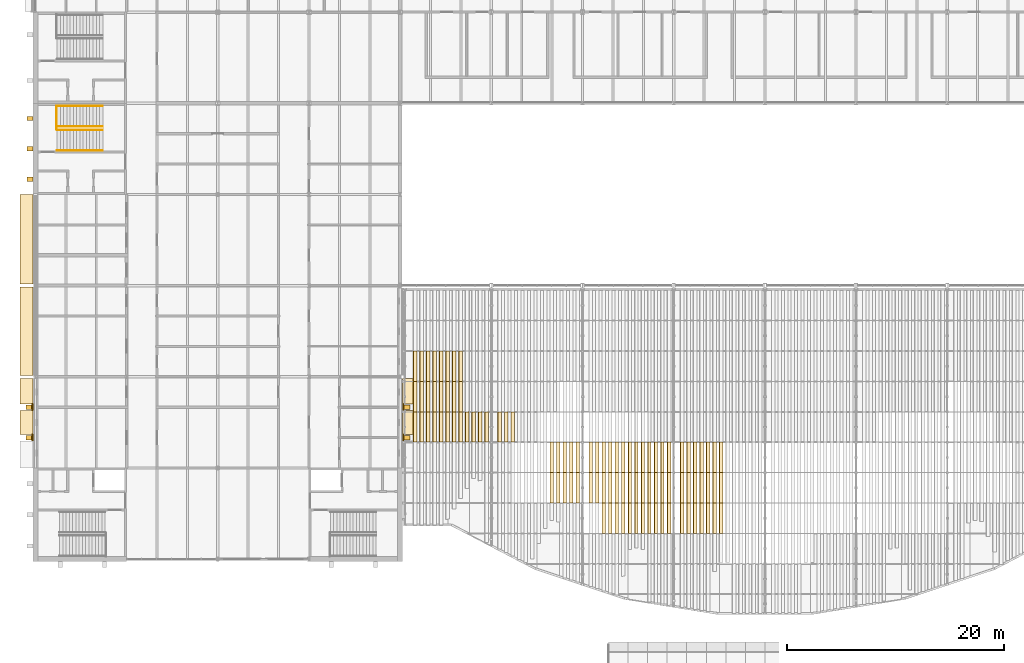
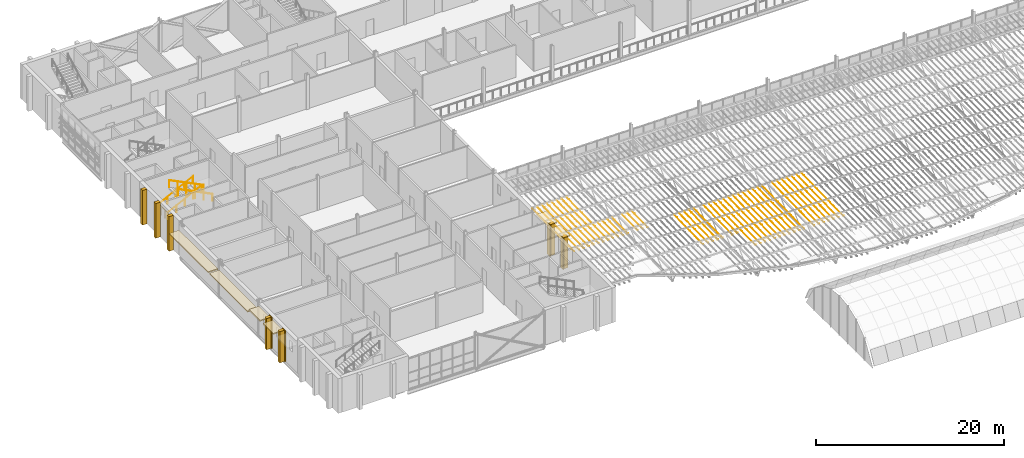
# One storey, part 117 of 129: 116 coverings, 5 railings.
"""IFC4 building model written with IfcOpenShell, lengths in metres."""

from ifc_helpers import new_model, si_unit, direction, frame, origin, origin_2d, place, context, subcontext, project, spatial, polyline, rectangle, circle, outline, extrude, material, layer, layer_set, material_profile, profile_set, type_object, element, save


model = new_model("IFC4")

# Units and contexts
model_context = context("Model", 3, precision=1e-05, world=origin(), true_north=direction((0.0, 1.0)))
body_context = subcontext(model_context, "Body", "Model", "MODEL_VIEW")
ifc_project = project(units=[si_unit("LENGTHUNIT", "METRE"), si_unit("AREAUNIT", "SQUARE_METRE"), si_unit("VOLUMEUNIT", "CUBIC_METRE"), si_unit("PLANEANGLEUNIT", "RADIAN"), si_unit("MASSUNIT", "GRAM", prefix="KILO")], contexts=[model_context])

# Site, building, storey
site_placement = place(None, origin())
site = spatial("IfcSite", under=ifc_project, at=site_placement, CompositionType="ELEMENT")
building_placement = place(site_placement, origin())
building = spatial("IfcBuilding", under=site, at=building_placement, Name="Ardhachandra Cancer Care Centre", CompositionType="ELEMENT")
storey_placement = place(building_placement, frame((0.0, 0.0, 4.5)))
storey = spatial("IfcBuildingStorey", under=building, at=storey_placement, Name="L01", CompositionType="ELEMENT", Elevation=4.5)

# Coverings
ifc_material_1 = material(Name="Brick masonry (clay brick, cement mortar) pier cladding", Category="masonry")
ifc_layer_1 = layer(ifc_material_1, 0.1201171875)
ifc_layer_set_1 = layer_set([ifc_layer_1], Name="Brick masonry (clay brick, cement mortar) pier cladding")
covering_type_1 = type_object("IfcCoveringType", Name="Brick pier cladding 600 x 120", PredefinedType="CLADDING", material=ifc_layer_set_1)
for number, where, z_axis, x_axis, name in (
    (1, (44.68505859375, 40.60009765625, 0.0), (0.0, 0.0, 1.0), (0.0, 1.0, 0.0), "Pier cladding L01 L01/e/0044400_0037800"),
    (2, (44.68505859375, 43.39990234375, 0.0), (0.0, 0.0, 1.0), (0.0, 1.0, 0.0), "Pier cladding L01 L01/e/0044400_0037800"),
    (3, (10.514892578125, 40.60009765625, 0.0), (0.0, 0.0, 1.0), (0.0, 1.0, 0.0), "Pier cladding L01 L01/w/0010800_0037800"),
    (4, (10.514892578125, 43.39990234375, 0.0), (0.0, 0.0, 1.0), (0.0, 1.0, 0.0), "Pier cladding L01 L01/w/0010800_0037800"),
):
    element("IfcCovering", number, at=place(storey_placement, frame(where, z_axis=z_axis, x_axis=x_axis)), inside=storey, type_object=covering_type_1, Name=name, PredefinedType="CLADDING", context=body_context, shape_type="SweptSolid", body=[
        extrude(rectangle(XDim=0.60009765625, YDim=0.1201171875, at=origin_2d()), origin(), (0.0, 0.0, 1.0), 4.050048828125),
    ])

# Railing
ifc_material_2 = material(Name="Steel E250 (IS 2062)", Category="steel")
railing_type_1 = type_object("IfcRailingType", Name="Guard 1100", PredefinedType="GUARDRAIL", material=ifc_material_2)
railing_placement = place(storey_placement, frame((12.739990234375, 71.169921875, 0.0)))
element("IfcRailing", 5, at=railing_placement, inside=storey, type_object=railing_type_1, Name="Stair well guard K3 L01", PredefinedType="GUARDRAIL", context=body_context, shape_type="SweptSolid", body=[
    extrude(circle(Radius=0.02392578125, at=origin_2d()), frame((0.0, 0.0, 1.076171875), z_axis=(0.0, -1.0, 0.0), x_axis=(1.0, 0.0, 0.0)), (0.0, 0.0, 1.0), 2.169921875),
    extrude(circle(Radius=0.02099609375, at=origin_2d()), origin(), (0.0, 0.0, 1.0), 1.052001953125),
    extrude(circle(Radius=0.02099609375, at=origin_2d()), frame((0.0, -0.723388671875, 0.0)), (0.0, 0.0, 1.0), 1.052001953125),
    extrude(circle(Radius=0.02099609375, at=origin_2d()), frame((0.0, -1.446533203125, 0.0)), (0.0, 0.0, 1.0), 1.052001953125),
    extrude(circle(Radius=0.02099609375, at=origin_2d()), frame((0.0, -2.169921875, 0.0)), (0.0, 0.0, 1.0), 1.052001953125),
])

# Coverings
ifc_material_3 = material(Name="Anodised aluminium", Category="aluminium")
ifc_material_profile = material_profile(ifc_material_3, outline(polyline([(-0.01220703125, 0.0), (0.01220703125, 0.0), (0.327392578125, -0.449951171875), (0.302978515625, -0.449951171875), (-0.01220703125, 0.0)])), Name="Louvre fin 450")
ifc_profile_set = profile_set([ifc_material_profile], Name="Anodised aluminium")
covering_type_2 = type_object("IfcCoveringType", Name="Louvre fin 450", PredefinedType="CLADDING", material=ifc_profile_set)
covering_1_placement = place(storey_placement, frame((45.60009765625, 48.574951171875, 2.631591796875), z_axis=(0.0, -0.999798977995, -0.02005002746), x_axis=(1.0, 0.0, 0.0)))
element("IfcCovering", 6, at=covering_1_placement, inside=storey, type_object=covering_type_2, Name="Louvre fin 2-3", PredefinedType="CLADDING", context=body_context, shape_type="SweptSolid", body=[
    extrude(outline(polyline([(-0.01220703125, 0.0), (0.01220703125, 0.0), (0.327392578125, -0.449951171875), (0.302978515625, -0.449951171875), (-0.01220703125, 0.0)])), origin(), (0.0, 0.0, 1.0), 2.800537109375),
])
covering_2_placement = place(storey_placement, frame((45.60009765625, 45.77490234375, 2.575439453125), z_axis=(0.0, -0.999800686946, -0.019964628297), x_axis=(1.0, 0.0, 0.0)))
element("IfcCovering", 7, at=covering_2_placement, inside=storey, type_object=covering_type_2, Name="Louvre fin 2-4", PredefinedType="CLADDING", context=body_context, shape_type="SweptSolid", body=[
    extrude(outline(polyline([(-0.01220703125, 0.0), (0.01220703125, 0.0), (0.327392578125, -0.449951171875), (0.302978515625, -0.449951171875), (-0.01220703125, 0.0)])), origin(), (0.0, 0.0, 1.0), 2.80029296875),
])
for number, where, z_axis, x_axis, name in (
    (8, (45.60009765625, 42.97509765625, 2.51953125), (0.0, -0.999798977995, -0.02005002746), (1.0, 0.0, 0.0), "Louvre fin 2-5"),
    (9, (46.199951171875, 48.574951171875, 2.631591796875), (0.0, -0.999798977995, -0.02005002746), (1.0, 0.0, 0.0), "Louvre fin 3-3"),
):
    element("IfcCovering", number, at=place(storey_placement, frame(where, z_axis=z_axis, x_axis=x_axis)), inside=storey, type_object=covering_type_2, Name=name, PredefinedType="CLADDING", context=body_context, shape_type="SweptSolid", body=[
        extrude(outline(polyline([(-0.01220703125, 0.0), (0.01220703125, 0.0), (0.327392578125, -0.449951171875), (0.302978515625, -0.449951171875), (-0.01220703125, 0.0)])), origin(), (0.0, 0.0, 1.0), 2.800537109375),
    ])
covering_3_placement = place(storey_placement, frame((46.199951171875, 45.77490234375, 2.575439453125), z_axis=(0.0, -0.999800686946, -0.019964628297), x_axis=(1.0, 0.0, 0.0)))
element("IfcCovering", 10, at=covering_3_placement, inside=storey, type_object=covering_type_2, Name="Louvre fin 3-4", PredefinedType="CLADDING", context=body_context, shape_type="SweptSolid", body=[
    extrude(outline(polyline([(-0.01220703125, 0.0), (0.01220703125, 0.0), (0.327392578125, -0.449951171875), (0.302978515625, -0.449951171875), (-0.01220703125, 0.0)])), origin(), (0.0, 0.0, 1.0), 2.80029296875),
])
for number, where, z_axis, x_axis, name in (
    (11, (46.199951171875, 42.97509765625, 2.51953125), (0.0, -0.999798977995, -0.02005002746), (1.0, 0.0, 0.0), "Louvre fin 3-5"),
    (12, (46.800048828125, 48.574951171875, 2.631591796875), (0.0, -0.999798977995, -0.02005002746), (1.0, 0.0, 0.0), "Louvre fin 4-3"),
):
    element("IfcCovering", number, at=place(storey_placement, frame(where, z_axis=z_axis, x_axis=x_axis)), inside=storey, type_object=covering_type_2, Name=name, PredefinedType="CLADDING", context=body_context, shape_type="SweptSolid", body=[
        extrude(outline(polyline([(-0.01220703125, 0.0), (0.01220703125, 0.0), (0.327392578125, -0.449951171875), (0.302978515625, -0.449951171875), (-0.01220703125, 0.0)])), origin(), (0.0, 0.0, 1.0), 2.800537109375),
    ])
covering_4_placement = place(storey_placement, frame((46.800048828125, 45.77490234375, 2.575439453125), z_axis=(0.0, -0.999800686946, -0.019964628297), x_axis=(1.0, 0.0, 0.0)))
element("IfcCovering", 13, at=covering_4_placement, inside=storey, type_object=covering_type_2, Name="Louvre fin 4-4", PredefinedType="CLADDING", context=body_context, shape_type="SweptSolid", body=[
    extrude(outline(polyline([(-0.01220703125, 0.0), (0.01220703125, 0.0), (0.327392578125, -0.449951171875), (0.302978515625, -0.449951171875), (-0.01220703125, 0.0)])), origin(), (0.0, 0.0, 1.0), 2.80029296875),
])
for number, where, z_axis, x_axis, name in (
    (14, (46.800048828125, 42.97509765625, 2.51953125), (0.0, -0.999798977995, -0.02005002746), (1.0, 0.0, 0.0), "Louvre fin 4-5"),
    (15, (47.39990234375, 48.574951171875, 2.631591796875), (0.0, -0.999798977995, -0.02005002746), (1.0, 0.0, 0.0), "Louvre fin 5-3"),
):
    element("IfcCovering", number, at=place(storey_placement, frame(where, z_axis=z_axis, x_axis=x_axis)), inside=storey, type_object=covering_type_2, Name=name, PredefinedType="CLADDING", context=body_context, shape_type="SweptSolid", body=[
        extrude(outline(polyline([(-0.01220703125, 0.0), (0.01220703125, 0.0), (0.327392578125, -0.449951171875), (0.302978515625, -0.449951171875), (-0.01220703125, 0.0)])), origin(), (0.0, 0.0, 1.0), 2.800537109375),
    ])
covering_5_placement = place(storey_placement, frame((47.39990234375, 45.77490234375, 2.575439453125), z_axis=(0.0, -0.999800686946, -0.019964628297), x_axis=(1.0, 0.0, 0.0)))
element("IfcCovering", 16, at=covering_5_placement, inside=storey, type_object=covering_type_2, Name="Louvre fin 5-4", PredefinedType="CLADDING", context=body_context, shape_type="SweptSolid", body=[
    extrude(outline(polyline([(-0.01220703125, 0.0), (0.01220703125, 0.0), (0.327392578125, -0.449951171875), (0.302978515625, -0.449951171875), (-0.01220703125, 0.0)])), origin(), (0.0, 0.0, 1.0), 2.80029296875),
])
for number, where, z_axis, x_axis, name in (
    (17, (47.39990234375, 42.97509765625, 2.51953125), (0.0, -0.999798977995, -0.02005002746), (1.0, 0.0, 0.0), "Louvre fin 5-5"),
    (18, (48.0, 48.574951171875, 2.631591796875), (0.0, -0.999798977995, -0.02005002746), (1.0, 0.0, 0.0), "Louvre fin 6-3"),
):
    element("IfcCovering", number, at=place(storey_placement, frame(where, z_axis=z_axis, x_axis=x_axis)), inside=storey, type_object=covering_type_2, Name=name, PredefinedType="CLADDING", context=body_context, shape_type="SweptSolid", body=[
        extrude(outline(polyline([(-0.01220703125, 0.0), (0.01220703125, 0.0), (0.327392578125, -0.449951171875), (0.302978515625, -0.449951171875), (-0.01220703125, 0.0)])), origin(), (0.0, 0.0, 1.0), 2.800537109375),
    ])
covering_6_placement = place(storey_placement, frame((48.0, 45.77490234375, 2.575439453125), z_axis=(0.0, -0.999800686946, -0.019964628297), x_axis=(1.0, 0.0, 0.0)))
element("IfcCovering", 19, at=covering_6_placement, inside=storey, type_object=covering_type_2, Name="Louvre fin 6-4", PredefinedType="CLADDING", context=body_context, shape_type="SweptSolid", body=[
    extrude(outline(polyline([(-0.01220703125, 0.0), (0.01220703125, 0.0), (0.327392578125, -0.449951171875), (0.302978515625, -0.449951171875), (-0.01220703125, 0.0)])), origin(), (0.0, 0.0, 1.0), 2.80029296875),
])
for number, where, z_axis, x_axis, name in (
    (20, (48.0, 42.97509765625, 2.51953125), (0.0, -0.999798977995, -0.02005002746), (1.0, 0.0, 0.0), "Louvre fin 6-5"),
    (21, (48.60009765625, 48.574951171875, 2.631591796875), (0.0, -0.999798977995, -0.02005002746), (1.0, 0.0, 0.0), "Louvre fin 7-3"),
):
    element("IfcCovering", number, at=place(storey_placement, frame(where, z_axis=z_axis, x_axis=x_axis)), inside=storey, type_object=covering_type_2, Name=name, PredefinedType="CLADDING", context=body_context, shape_type="SweptSolid", body=[
        extrude(outline(polyline([(-0.01220703125, 0.0), (0.01220703125, 0.0), (0.327392578125, -0.449951171875), (0.302978515625, -0.449951171875), (-0.01220703125, 0.0)])), origin(), (0.0, 0.0, 1.0), 2.800537109375),
    ])
covering_7_placement = place(storey_placement, frame((48.60009765625, 45.77490234375, 2.575439453125), z_axis=(0.0, -0.999800686946, -0.019964628297), x_axis=(1.0, 0.0, 0.0)))
element("IfcCovering", 22, at=covering_7_placement, inside=storey, type_object=covering_type_2, Name="Louvre fin 7-4", PredefinedType="CLADDING", context=body_context, shape_type="SweptSolid", body=[
    extrude(outline(polyline([(-0.01220703125, 0.0), (0.01220703125, 0.0), (0.327392578125, -0.449951171875), (0.302978515625, -0.449951171875), (-0.01220703125, 0.0)])), origin(), (0.0, 0.0, 1.0), 2.80029296875),
])
for number, where, z_axis, x_axis, name in (
    (23, (48.60009765625, 42.97509765625, 2.51953125), (0.0, -0.999798977995, -0.02005002746), (1.0, 0.0, 0.0), "Louvre fin 7-5"),
    (24, (49.199951171875, 48.574951171875, 2.631591796875), (0.0, -0.999798977995, -0.02005002746), (1.0, 0.0, 0.0), "Louvre fin 8-3"),
):
    element("IfcCovering", number, at=place(storey_placement, frame(where, z_axis=z_axis, x_axis=x_axis)), inside=storey, type_object=covering_type_2, Name=name, PredefinedType="CLADDING", context=body_context, shape_type="SweptSolid", body=[
        extrude(outline(polyline([(-0.01220703125, 0.0), (0.01220703125, 0.0), (0.327392578125, -0.449951171875), (0.302978515625, -0.449951171875), (-0.01220703125, 0.0)])), origin(), (0.0, 0.0, 1.0), 2.800537109375),
    ])
covering_8_placement = place(storey_placement, frame((49.199951171875, 45.77490234375, 2.575439453125), z_axis=(0.0, -0.999800686946, -0.019964628297), x_axis=(1.0, 0.0, 0.0)))
element("IfcCovering", 25, at=covering_8_placement, inside=storey, type_object=covering_type_2, Name="Louvre fin 8-4", PredefinedType="CLADDING", context=body_context, shape_type="SweptSolid", body=[
    extrude(outline(polyline([(-0.01220703125, 0.0), (0.01220703125, 0.0), (0.327392578125, -0.449951171875), (0.302978515625, -0.449951171875), (-0.01220703125, 0.0)])), origin(), (0.0, 0.0, 1.0), 2.80029296875),
])
for number, where, z_axis, x_axis, name in (
    (26, (49.199951171875, 42.97509765625, 2.51953125), (0.0, -0.999798977995, -0.02005002746), (1.0, 0.0, 0.0), "Louvre fin 8-5"),
    (27, (49.800048828125, 48.574951171875, 2.631591796875), (0.0, -0.999798977995, -0.02005002746), (1.0, 0.0, 0.0), "Louvre fin 9-3"),
):
    element("IfcCovering", number, at=place(storey_placement, frame(where, z_axis=z_axis, x_axis=x_axis)), inside=storey, type_object=covering_type_2, Name=name, PredefinedType="CLADDING", context=body_context, shape_type="SweptSolid", body=[
        extrude(outline(polyline([(-0.01220703125, 0.0), (0.01220703125, 0.0), (0.327392578125, -0.449951171875), (0.302978515625, -0.449951171875), (-0.01220703125, 0.0)])), origin(), (0.0, 0.0, 1.0), 2.800537109375),
    ])
covering_9_placement = place(storey_placement, frame((49.800048828125, 45.77490234375, 2.575439453125), z_axis=(0.0, -0.999800686946, -0.019964628297), x_axis=(1.0, 0.0, 0.0)))
element("IfcCovering", 28, at=covering_9_placement, inside=storey, type_object=covering_type_2, Name="Louvre fin 9-4", PredefinedType="CLADDING", context=body_context, shape_type="SweptSolid", body=[
    extrude(outline(polyline([(-0.01220703125, 0.0), (0.01220703125, 0.0), (0.327392578125, -0.449951171875), (0.302978515625, -0.449951171875), (-0.01220703125, 0.0)])), origin(), (0.0, 0.0, 1.0), 2.80029296875),
])
for number, where, z_axis, x_axis, name in (
    (29, (49.800048828125, 42.97509765625, 2.51953125), (0.0, -0.999798977995, -0.02005002746), (1.0, 0.0, 0.0), "Louvre fin 9-5"),
    (30, (50.39990234375, 42.97509765625, 2.51953125), (0.0, -0.999798977995, -0.02005002746), (1.0, 0.0, 0.0), "Louvre fin 10-5"),
    (31, (51.0, 42.97509765625, 2.51953125), (0.0, -0.999798977995, -0.02005002746), (1.0, 0.0, 0.0), "Louvre fin 11-5"),
    (32, (51.60009765625, 42.97509765625, 2.51953125), (0.0, -0.999798977995, -0.02005002746), (1.0, 0.0, 0.0), "Louvre fin 12-5"),
    (33, (52.199951171875, 42.97509765625, 2.51953125), (0.0, -0.999798977995, -0.02005002746), (1.0, 0.0, 0.0), "Louvre fin 13-5"),
    (34, (53.39990234375, 42.97509765625, 2.51953125), (0.0, -0.999798977995, -0.02005002746), (1.0, 0.0, 0.0), "Louvre fin 15-5"),
    (35, (54.0, 42.97509765625, 2.51953125), (0.0, -0.999798977995, -0.02005002746), (1.0, 0.0, 0.0), "Louvre fin 16-5"),
    (36, (54.60009765625, 42.97509765625, 2.51953125), (0.0, -0.999798977995, -0.02005002746), (1.0, 0.0, 0.0), "Louvre fin 17-5"),
    (37, (58.199951171875, 40.175048828125, 2.46337890625), (0.0, -0.999800721691, -0.019962888244), (1.0, 0.0, 0.0), "Louvre fin 23-6"),
    (38, (58.199951171875, 37.375, 2.407470703125), (0.0, -0.999800721691, -0.019962888244), (1.0, 0.0, 0.0), "Louvre fin 23-7"),
    (39, (58.800048828125, 40.175048828125, 2.46337890625), (0.0, -0.999800721691, -0.019962888244), (1.0, 0.0, 0.0), "Louvre fin 24-6"),
    (40, (58.800048828125, 37.375, 2.407470703125), (0.0, -0.999800721691, -0.019962888244), (1.0, 0.0, 0.0), "Louvre fin 24-7"),
    (41, (59.39990234375, 40.175048828125, 2.46337890625), (0.0, -0.999800721691, -0.019962888244), (1.0, 0.0, 0.0), "Louvre fin 25-6"),
    (42, (59.39990234375, 37.375, 2.407470703125), (0.0, -0.999800721691, -0.019962888244), (1.0, 0.0, 0.0), "Louvre fin 25-7"),
    (43, (60.0, 40.175048828125, 2.46337890625), (0.0, -0.999800721691, -0.019962888244), (1.0, 0.0, 0.0), "Louvre fin 26-6"),
    (44, (60.0, 37.375, 2.407470703125), (0.0, -0.999800721691, -0.019962888244), (1.0, 0.0, 0.0), "Louvre fin 26-7"),
    (45, (60.60009765625, 40.175048828125, 2.46337890625), (0.0, -0.999800721691, -0.019962888244), (1.0, 0.0, 0.0), "Louvre fin 27-6"),
    (46, (60.60009765625, 37.375, 2.407470703125), (0.0, -0.999800721691, -0.019962888244), (1.0, 0.0, 0.0), "Louvre fin 27-7"),
    (47, (61.800048828125, 40.175048828125, 2.46337890625), (0.0, -0.999800721691, -0.019962888244), (1.0, 0.0, 0.0), "Louvre fin 29-6"),
    (48, (61.800048828125, 37.375, 2.407470703125), (0.0, -0.999800721691, -0.019962888244), (1.0, 0.0, 0.0), "Louvre fin 29-7"),
    (49, (62.39990234375, 40.175048828125, 2.46337890625), (0.0, -0.999800721691, -0.019962888244), (1.0, 0.0, 0.0), "Louvre fin 30-6"),
    (50, (62.39990234375, 37.375, 2.407470703125), (0.0, -0.999800721691, -0.019962888244), (1.0, 0.0, 0.0), "Louvre fin 30-7"),
    (51, (63.0, 40.175048828125, 2.46337890625), (0.0, -0.999800721691, -0.019962888244), (1.0, 0.0, 0.0), "Louvre fin 31-6"),
    (52, (63.0, 37.375, 2.407470703125), (0.0, -0.999800721691, -0.019962888244), (1.0, 0.0, 0.0), "Louvre fin 31-7"),
    (53, (63.0, 34.574951171875, 2.3515625), (0.0, -0.999798977995, -0.02005002746), (1.0, 0.0, 0.0), "Louvre fin 31-8"),
    (54, (63.60009765625, 40.175048828125, 2.46337890625), (0.0, -0.999800721691, -0.019962888244), (1.0, 0.0, 0.0), "Louvre fin 32-6"),
    (55, (63.60009765625, 37.375, 2.407470703125), (0.0, -0.999800721691, -0.019962888244), (1.0, 0.0, 0.0), "Louvre fin 32-7"),
    (56, (63.60009765625, 34.574951171875, 2.3515625), (0.0, -0.999798977995, -0.02005002746), (1.0, 0.0, 0.0), "Louvre fin 32-8"),
    (57, (64.199951171875, 40.175048828125, 2.46337890625), (0.0, -0.999800721691, -0.019962888244), (1.0, 0.0, 0.0), "Louvre fin 33-6"),
    (58, (64.199951171875, 37.375, 2.407470703125), (0.0, -0.999800721691, -0.019962888244), (1.0, 0.0, 0.0), "Louvre fin 33-7"),
    (59, (64.199951171875, 34.574951171875, 2.3515625), (0.0, -0.999798977995, -0.02005002746), (1.0, 0.0, 0.0), "Louvre fin 33-8"),
    (60, (64.800048828125, 40.175048828125, 2.46337890625), (0.0, -0.999800721691, -0.019962888244), (1.0, 0.0, 0.0), "Louvre fin 34-6"),
    (61, (64.800048828125, 37.375, 2.407470703125), (0.0, -0.999800721691, -0.019962888244), (1.0, 0.0, 0.0), "Louvre fin 34-7"),
    (62, (64.800048828125, 34.574951171875, 2.3515625), (0.0, -0.999798977995, -0.02005002746), (1.0, 0.0, 0.0), "Louvre fin 34-8"),
    (63, (65.39990234375, 40.175048828125, 2.46337890625), (0.0, -0.999800721691, -0.019962888244), (1.0, 0.0, 0.0), "Louvre fin 35-6"),
    (64, (65.39990234375, 37.375, 2.407470703125), (0.0, -0.999800721691, -0.019962888244), (1.0, 0.0, 0.0), "Louvre fin 35-7"),
    (65, (65.39990234375, 34.574951171875, 2.3515625), (0.0, -0.999798977995, -0.02005002746), (1.0, 0.0, 0.0), "Louvre fin 35-8"),
    (66, (66.0, 40.175048828125, 2.46337890625), (0.0, -0.999800721691, -0.019962888244), (1.0, 0.0, 0.0), "Louvre fin 36-6"),
    (67, (66.0, 37.375, 2.407470703125), (0.0, -0.999800721691, -0.019962888244), (1.0, 0.0, 0.0), "Louvre fin 36-7"),
    (68, (66.0, 34.574951171875, 2.3515625), (0.0, -0.999798977995, -0.02005002746), (1.0, 0.0, 0.0), "Louvre fin 36-8"),
    (69, (66.60009765625, 40.175048828125, 2.46337890625), (0.0, -0.999800721691, -0.019962888244), (1.0, 0.0, 0.0), "Louvre fin 37-6"),
    (70, (66.60009765625, 37.375, 2.407470703125), (0.0, -0.999800721691, -0.019962888244), (1.0, 0.0, 0.0), "Louvre fin 37-7"),
    (71, (66.60009765625, 34.574951171875, 2.3515625), (0.0, -0.999798977995, -0.02005002746), (1.0, 0.0, 0.0), "Louvre fin 37-8"),
    (72, (67.199951171875, 40.175048828125, 2.46337890625), (0.0, -0.999800721691, -0.019962888244), (1.0, 0.0, 0.0), "Louvre fin 38-6"),
    (73, (67.199951171875, 37.375, 2.407470703125), (0.0, -0.999800721691, -0.019962888244), (1.0, 0.0, 0.0), "Louvre fin 38-7"),
    (74, (67.199951171875, 34.574951171875, 2.3515625), (0.0, -0.999798977995, -0.02005002746), (1.0, 0.0, 0.0), "Louvre fin 38-8"),
    (75, (67.800048828125, 40.175048828125, 2.46337890625), (0.0, -0.999800721691, -0.019962888244), (1.0, 0.0, 0.0), "Louvre fin 39-6"),
    (76, (67.800048828125, 37.375, 2.407470703125), (0.0, -0.999800721691, -0.019962888244), (1.0, 0.0, 0.0), "Louvre fin 39-7"),
    (77, (67.800048828125, 34.574951171875, 2.3515625), (0.0, -0.999798977995, -0.02005002746), (1.0, 0.0, 0.0), "Louvre fin 39-8"),
    (78, (68.39990234375, 40.175048828125, 2.46337890625), (0.0, -0.999800721691, -0.019962888244), (1.0, 0.0, 0.0), "Louvre fin 40-6"),
    (79, (68.39990234375, 37.375, 2.407470703125), (0.0, -0.999800721691, -0.019962888244), (1.0, 0.0, 0.0), "Louvre fin 40-7"),
    (80, (68.39990234375, 34.574951171875, 2.3515625), (0.0, -0.999798977995, -0.02005002746), (1.0, 0.0, 0.0), "Louvre fin 40-8"),
    (81, (69.0, 40.175048828125, 2.46337890625), (0.0, -0.999800721691, -0.019962888244), (1.0, 0.0, 0.0), "Louvre fin 41-6"),
    (82, (69.0, 37.375, 2.407470703125), (0.0, -0.999800721691, -0.019962888244), (1.0, 0.0, 0.0), "Louvre fin 41-7"),
    (83, (69.0, 34.574951171875, 2.3515625), (0.0, -0.999798977995, -0.02005002746), (1.0, 0.0, 0.0), "Louvre fin 41-8"),
    (84, (70.199951171875, 40.175048828125, 2.46337890625), (0.0, -0.999800721691, -0.019962888244), (1.0, 0.0, 0.0), "Louvre fin 43-6"),
    (85, (70.199951171875, 37.375, 2.407470703125), (0.0, -0.999800721691, -0.019962888244), (1.0, 0.0, 0.0), "Louvre fin 43-7"),
    (86, (70.199951171875, 34.574951171875, 2.3515625), (0.0, -0.999798977995, -0.02005002746), (1.0, 0.0, 0.0), "Louvre fin 43-8"),
    (87, (70.800048828125, 40.175048828125, 2.46337890625), (0.0, -0.999800721691, -0.019962888244), (1.0, 0.0, 0.0), "Louvre fin 44-6"),
    (88, (70.800048828125, 37.375, 2.407470703125), (0.0, -0.999800721691, -0.019962888244), (1.0, 0.0, 0.0), "Louvre fin 44-7"),
    (89, (70.800048828125, 34.574951171875, 2.3515625), (0.0, -0.999798977995, -0.02005002746), (1.0, 0.0, 0.0), "Louvre fin 44-8"),
    (90, (71.39990234375, 40.175048828125, 2.46337890625), (0.0, -0.999800721691, -0.019962888244), (1.0, 0.0, 0.0), "Louvre fin 45-6"),
    (91, (71.39990234375, 37.375, 2.407470703125), (0.0, -0.999800721691, -0.019962888244), (1.0, 0.0, 0.0), "Louvre fin 45-7"),
    (92, (71.39990234375, 34.574951171875, 2.3515625), (0.0, -0.999798977995, -0.02005002746), (1.0, 0.0, 0.0), "Louvre fin 45-8"),
    (93, (72.0, 40.175048828125, 2.46337890625), (0.0, -0.999800721691, -0.019962888244), (1.0, 0.0, 0.0), "Louvre fin 46-6"),
    (94, (72.0, 37.375, 2.407470703125), (0.0, -0.999800721691, -0.019962888244), (1.0, 0.0, 0.0), "Louvre fin 46-7"),
    (95, (72.0, 34.574951171875, 2.3515625), (0.0, -0.999798977995, -0.02005002746), (1.0, 0.0, 0.0), "Louvre fin 46-8"),
    (96, (72.60009765625, 40.175048828125, 2.46337890625), (0.0, -0.999800721691, -0.019962888244), (1.0, 0.0, 0.0), "Louvre fin 47-6"),
    (97, (72.60009765625, 37.375, 2.407470703125), (0.0, -0.999800721691, -0.019962888244), (1.0, 0.0, 0.0), "Louvre fin 47-7"),
    (98, (72.60009765625, 34.574951171875, 2.3515625), (0.0, -0.999798977995, -0.02005002746), (1.0, 0.0, 0.0), "Louvre fin 47-8"),
    (99, (73.199951171875, 40.175048828125, 2.46337890625), (0.0, -0.999800721691, -0.019962888244), (1.0, 0.0, 0.0), "Louvre fin 48-6"),
    (100, (73.199951171875, 37.375, 2.407470703125), (0.0, -0.999800721691, -0.019962888244), (1.0, 0.0, 0.0), "Louvre fin 48-7"),
    (101, (73.199951171875, 34.574951171875, 2.3515625), (0.0, -0.999798977995, -0.02005002746), (1.0, 0.0, 0.0), "Louvre fin 48-8"),
    (102, (73.800048828125, 40.175048828125, 2.46337890625), (0.0, -0.999800721691, -0.019962888244), (1.0, 0.0, 0.0), "Louvre fin 49-6"),
    (103, (73.800048828125, 37.375, 2.407470703125), (0.0, -0.999800721691, -0.019962888244), (1.0, 0.0, 0.0), "Louvre fin 49-7"),
    (104, (73.800048828125, 34.574951171875, 2.3515625), (0.0, -0.999798977995, -0.02005002746), (1.0, 0.0, 0.0), "Louvre fin 49-8"),
):
    element("IfcCovering", number, at=place(storey_placement, frame(where, z_axis=z_axis, x_axis=x_axis)), inside=storey, type_object=covering_type_2, Name=name, PredefinedType="CLADDING", context=body_context, shape_type="SweptSolid", body=[
        extrude(outline(polyline([(-0.01220703125, 0.0), (0.01220703125, 0.0), (0.327392578125, -0.449951171875), (0.302978515625, -0.449951171875), (-0.01220703125, 0.0)])), origin(), (0.0, 0.0, 1.0), 2.800537109375),
    ])
ifc_material_4 = material(Name="Precast Concrete M25", Category="concrete")
ifc_layer_2 = layer(ifc_material_4, 0.39990234375)
ifc_layer_set_2 = layer_set([ifc_layer_2], Name="Precast Concrete M25")
covering_type_3 = type_object("IfcCoveringType", Name="Precast concrete fin 400 x 550", PredefinedType="CLADDING", material=ifc_layer_set_2)
for number, where, z_axis, x_axis, name in (
    (105, (45.02001953125, 40.60009765625, 0.0), (0.0, 0.0, 1.0), (0.0, 1.0, 0.0), "Fin L01 L01/e/0044400_0037800"),
    (106, (45.02001953125, 43.39990234375, 0.0), (0.0, 0.0, 1.0), (0.0, 1.0, 0.0), "Fin L01 L01/e/0044400_0037800"),
    (107, (10.179931640625, 40.60009765625, 0.0), (0.0, 0.0, 1.0), (0.0, 1.0, 0.0), "Fin L01 L01/w/0010800_0037800"),
    (108, (10.179931640625, 43.39990234375, 0.0), (0.0, 0.0, 1.0), (0.0, 1.0, 0.0), "Fin L01 L01/w/0010800_0037800"),
):
    element("IfcCovering", number, at=place(storey_placement, frame(where, z_axis=z_axis, x_axis=x_axis)), inside=storey, type_object=covering_type_3, Name=name, PredefinedType="CLADDING", context=body_context, shape_type="SweptSolid", body=[
        extrude(rectangle(XDim=0.39990234375, YDim=0.550048828125, at=origin_2d()), origin(), (0.0, 0.0, 1.0), 4.050048828125),
    ])
for number, where, z_axis, x_axis, name in (
    (109, (10.300048828125, 64.39990234375, 0.0), (0.0, 0.0, 1.0), (0.0, 1.0, 0.0), "Fin L01 core K3 1"),
    (110, (10.300048828125, 67.199951171875, 0.0), (0.0, 0.0, 1.0), (0.0, 1.0, 0.0), "Fin L01 core K3 2"),
    (111, (10.300048828125, 70.0, 0.0), (0.0, 0.0, 1.0), (0.0, 1.0, 0.0), "Fin L01 core K3 3"),
):
    element("IfcCovering", number, at=place(storey_placement, frame(where, z_axis=z_axis, x_axis=x_axis)), inside=storey, type_object=covering_type_3, Name=name, PredefinedType="CLADDING", context=body_context, shape_type="SweptSolid", body=[
        extrude(rectangle(XDim=0.39990234375, YDim=0.550048828125, at=origin_2d()), origin(), (0.0, 0.0, 1.0), 4.5),
    ])
ifc_material_5 = material(Name="Precast Concrete M25", Category="concrete")
ifc_layer_3 = layer(ifc_material_5, 0.14990234375)
ifc_layer_set_3 = layer_set([ifc_layer_3], Name="Precast Concrete M25")
covering_type_4 = type_object("IfcCoveringType", Name="Precast sunshade band 1200 x 150", PredefinedType="CLADDING", material=ifc_layer_set_3)
covering_10_placement = place(storey_placement, frame((45.22509765625, 42.0, 3.550048828125), z_axis=(0.0, 0.0, 1.0), x_axis=(0.0, 1.0, 0.0)))
element("IfcCovering", 112, at=covering_10_placement, inside=storey, type_object=covering_type_4, Name="Sunshade band L01 L01/e/0044400_0037800 2", PredefinedType="CLADDING", context=body_context, shape_type="SweptSolid", body=[
    extrude(rectangle(XDim=2.199951171875, YDim=1.199951171875, at=origin_2d()), origin(), (0.0, 0.0, 1.0), 0.14990234375),
])
covering_11_placement = place(storey_placement, frame((45.22509765625, 44.87744140625, 3.550048828125), z_axis=(0.0, 0.0, 1.0), x_axis=(0.0, 1.0, 0.0)))
element("IfcCovering", 113, at=covering_11_placement, inside=storey, type_object=covering_type_4, Name="Sunshade band L01 L01/e/0044400_0037800 3", PredefinedType="CLADDING", context=body_context, shape_type="SweptSolid", body=[
    extrude(rectangle(XDim=2.35498046875, YDim=1.199951171875, at=origin_2d()), origin(), (0.0, 0.0, 1.0), 0.14990234375),
])
covering_12_placement = place(storey_placement, frame((9.97509765625, 42.0, 3.550048828125), z_axis=(0.0, 0.0, 1.0), x_axis=(0.0, 1.0, 0.0)))
element("IfcCovering", 114, at=covering_12_placement, inside=storey, type_object=covering_type_4, Name="Sunshade band L01 L01/w/0010800_0037800 2", PredefinedType="CLADDING", context=body_context, shape_type="SweptSolid", body=[
    extrude(rectangle(XDim=2.199951171875, YDim=1.199951171875, at=origin_2d()), origin(), (0.0, 0.0, 1.0), 0.14990234375),
])
covering_13_placement = place(storey_placement, frame((9.97509765625, 44.87744140625, 3.550048828125), z_axis=(0.0, 0.0, 1.0), x_axis=(0.0, 1.0, 0.0)))
element("IfcCovering", 115, at=covering_13_placement, inside=storey, type_object=covering_type_4, Name="Sunshade band L01 L01/w/0010800_0037800 3", PredefinedType="CLADDING", context=body_context, shape_type="SweptSolid", body=[
    extrude(rectangle(XDim=2.35498046875, YDim=1.199951171875, at=origin_2d()), origin(), (0.0, 0.0, 1.0), 0.14990234375),
])
covering_14_placement = place(storey_placement, frame((9.97509765625, 50.39990234375, 3.150146484375), z_axis=(0.0, 0.0, 1.0), x_axis=(0.0, 1.0, 0.0)))
element("IfcCovering", 116, at=covering_14_placement, inside=storey, type_object=covering_type_4, Name="Sunshade band L01 L01/w/0010800_0046200 1", PredefinedType="CLADDING", context=body_context, shape_type="SweptSolid", body=[
    extrude(rectangle(XDim=8.110107421875, YDim=1.199951171875, at=origin_2d()), origin(), (0.0, 0.0, 1.0), 0.14990234375),
])
covering_15_placement = place(storey_placement, frame((9.97509765625, 58.87255859375, 3.150146484375), z_axis=(0.0, 0.0, 1.0), x_axis=(0.0, 1.0, 0.0)))
element("IfcCovering", 117, at=covering_15_placement, inside=storey, type_object=covering_type_4, Name="Sunshade band L01 L01/w/0010800_0054600 1", PredefinedType="CLADDING", context=body_context, shape_type="SweptSolid", body=[
    extrude(rectangle(XDim=8.2548828125, YDim=1.199951171875, at=origin_2d()), origin(), (0.0, 0.0, 1.0), 0.14990234375),
])

# Railings
ifc_material_6 = material(Name="Steel E250 (IS 2062)", Category="steel")
railing_type_2 = type_object("IfcRailingType", Name="Stair handrail 900", PredefinedType="HANDRAIL", material=ifc_material_6)
for number, where, name in (
    (118, (12.800048828125, 71.139892578125, 0.14990234375), "Handrail K3 L01-L02 flight 1 wall side"),
    (119, (12.800048828125, 69.25, 0.14990234375), "Handrail K3 L01-L02 flight 1 well side"),
):
    element("IfcRailing", number, at=place(storey_placement, frame(where)), inside=storey, type_object=railing_type_2, Name=name, PredefinedType="HANDRAIL", context=body_context, shape_type="SweptSolid", body=[
        extrude(circle(Radius=0.02392578125, at=origin_2d()), frame((0.0, 0.0, 0.8759765625), z_axis=(0.894416792377, 0.0, 0.447234392142), x_axis=(0.0, 1.0, 0.0)), (0.0, 0.0, 1.0), 4.69580078125),
        extrude(circle(Radius=0.02099609375, at=origin_2d()), origin(), (0.0, 0.0, 1.0), 0.851806640625),
        extrude(circle(Radius=0.02099609375, at=origin_2d()), frame((1.050048828125, 0.0, 0.52490234375)), (0.0, 0.0, 1.0), 0.851806640625),
        extrude(circle(Radius=0.02099609375, at=origin_2d()), frame((2.10009765625, 0.0, 1.050048828125)), (0.0, 0.0, 1.0), 0.851806640625),
        extrude(circle(Radius=0.02099609375, at=origin_2d()), frame((3.14990234375, 0.0, 1.5751953125)), (0.0, 0.0, 1.0), 0.851806640625),
        extrude(circle(Radius=0.02099609375, at=origin_2d()), frame((4.199951171875, 0.0, 2.10009765625)), (0.0, 0.0, 1.0), 0.851806640625),
    ])
for number, where, name in (
    (120, (17.0, 68.949951171875, 2.39990234375), "Handrail K3 L01-L02 flight 2 well side"),
    (121, (17.0, 67.06005859375, 2.39990234375), "Handrail K3 L01-L02 flight 2 wall side"),
):
    element("IfcRailing", number, at=place(storey_placement, frame(where)), inside=storey, type_object=railing_type_2, Name=name, PredefinedType="HANDRAIL", context=body_context, shape_type="SweptSolid", body=[
        extrude(circle(Radius=0.02392578125, at=origin_2d()), frame((0.0, 0.0, 0.8759765625), z_axis=(-0.894416792377, 0.0, 0.447234392142), x_axis=(0.0, -1.0, 0.0)), (0.0, 0.0, 1.0), 4.69580078125),
        extrude(circle(Radius=0.02099609375, at=origin_2d()), origin(), (0.0, 0.0, 1.0), 0.851806640625),
        extrude(circle(Radius=0.02099609375, at=origin_2d()), frame((-1.050048828125, 0.0, 0.52490234375)), (0.0, 0.0, 1.0), 0.851806640625),
        extrude(circle(Radius=0.02099609375, at=origin_2d()), frame((-2.10009765625, 0.0, 1.050048828125)), (0.0, 0.0, 1.0), 0.851806640625),
        extrude(circle(Radius=0.02099609375, at=origin_2d()), frame((-3.14990234375, 0.0, 1.5751953125)), (0.0, 0.0, 1.0), 0.851806640625),
        extrude(circle(Radius=0.02099609375, at=origin_2d()), frame((-4.199951171875, 0.0, 2.10009765625)), (0.0, 0.0, 1.0), 0.851806640625),
    ])

save(model, "model.ifc")
